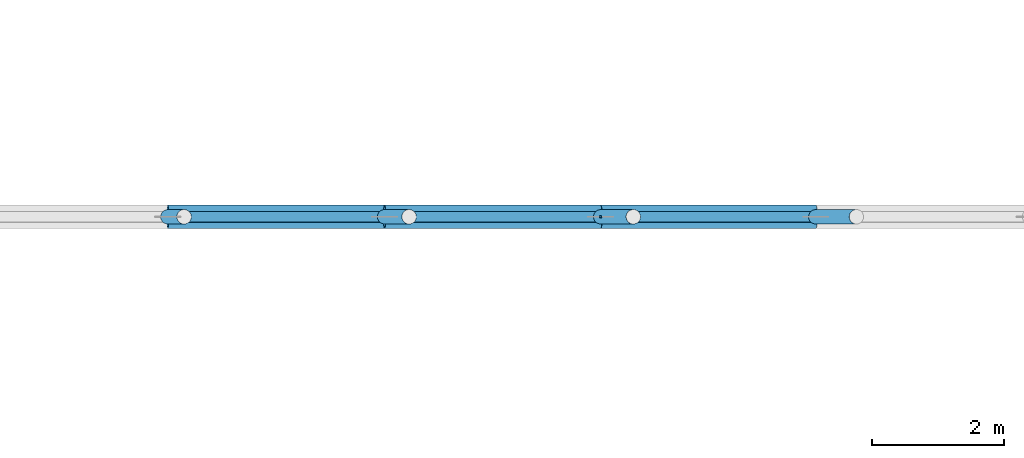
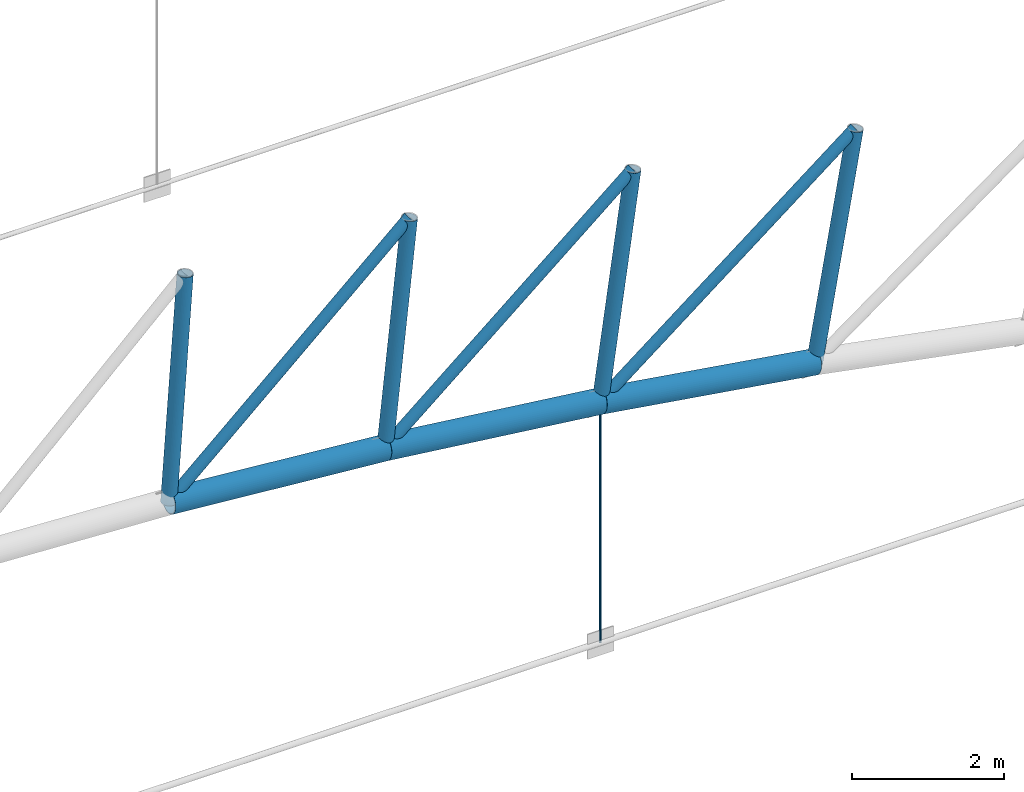
# One storey, part 92 of 321: 11 members.
"""IFC4 building model written with IfcOpenShell, lengths in metres."""

from ifc_helpers import new_model, si_unit, direction, frame, origin, origin_2d, place, context, subcontext, project, spatial, circle, hollow_circle, extrude, material, material_profile, profile_set, type_object, element, save


model = new_model("IFC4")

# Units and contexts
model_context = context("Model", 3, precision=1e-05, world=origin(), true_north=direction((0.0, 1.0)))
body_context = subcontext(model_context, "Body", "Model", "MODEL_VIEW")
ifc_project = project(units=[si_unit("LENGTHUNIT", "METRE"), si_unit("AREAUNIT", "SQUARE_METRE"), si_unit("VOLUMEUNIT", "CUBIC_METRE"), si_unit("PLANEANGLEUNIT", "RADIAN"), si_unit("MASSUNIT", "GRAM", prefix="KILO")], contexts=[model_context])

# Site, building, storey
site_placement = place(None, origin())
site = spatial("IfcSite", under=ifc_project, at=site_placement, CompositionType="ELEMENT")
building_placement = place(site_placement, origin())
building = spatial("IfcBuilding", under=site, at=building_placement, Name="Ravi Spectrum Wholesale Market", CompositionType="ELEMENT")
storey_placement = place(building_placement, frame((0.0, 0.0, 10.800048828125)))
storey = spatial("IfcBuildingStorey", under=building, at=storey_placement, Name="L02", CompositionType="ELEMENT", Elevation=10.800048828125)

# Members
ifc_material_1 = material(Name="Steel S355", Category="steel")
ifc_material_profile_1 = material_profile(ifc_material_1, hollow_circle(Radius=0.084228515625, WallThickness=0.00634765625, at=origin_2d()))
ifc_profile_set_1 = profile_set([ifc_material_profile_1], Name="Steel S355")
member_type_1 = type_object("IfcMemberType", Name="CHS 168.3x6.3 brace", PredefinedType="BRACE", material=ifc_profile_set_1)
for number, where, z_axis, x_axis, name in (
    (1, (80.273193359375, 78.0, 7.867919921875), (-0.743626505142, 0.0, -0.668595259369), (0.0, -1.0, 0.0), "H1-MB-L02-409"),
    (2, (83.678466796875, 78.0, 7.45458984375), (-0.766252893925, 0.0, -0.642539105854), (0.0, -1.0, 0.0), "H1-MB-L02-410"),
    (3, (87.0673828125, 78.0, 6.92431640625), (-0.787944778548, 0.0, -0.615745910225), (0.0, -1.0, 0.0), "H1-MB-L02-411"),
):
    element("IfcMember", number, at=place(storey_placement, frame(where, z_axis=z_axis, x_axis=x_axis)), inside=storey, type_object=member_type_1, Name=name, PredefinedType="BRACE", context=body_context, shape_type="SweptSolid", body=[
        extrude(hollow_circle(Radius=0.084228515625, WallThickness=0.00634765625, at=origin_2d()), origin(), (0.0, 0.0, 1.0), 4.9296875),
    ])
ifc_material_2 = material(Name="Steel S355", Category="steel")
ifc_material_profile_2 = material_profile(ifc_material_2, hollow_circle(Radius=0.109619140625, WallThickness=0.008056640625, at=origin_2d()))
ifc_profile_set_2 = profile_set([ifc_material_profile_2], Name="Steel S355")
member_type_2 = type_object("IfcMemberType", Name="CHS 219.1x8 post", PredefinedType="POST", material=ifc_profile_set_2)
member_1_placement = place(storey_placement, frame((76.85546875, 78.0, 8.163330078125), z_axis=(-0.068904502548, 0.0, -0.997623260319), x_axis=(0.0, -1.0, 0.0)))
element("IfcMember", 4, at=member_1_placement, inside=storey, type_object=member_type_2, Name="H1-MB-L02-386", PredefinedType="POST", context=body_context, shape_type="SweptSolid", body=[
    extrude(hollow_circle(Radius=0.109619140625, WallThickness=0.008056640625, at=origin_2d()), origin(), (0.0, 0.0, 1.0), 3.599853515625),
])
member_2_placement = place(storey_placement, frame((80.273193359375, 78.0, 7.867919921875), z_axis=(-0.103350310801, 0.0, -0.994645018716), x_axis=(0.0, -1.0, 0.0)))
element("IfcMember", 5, at=member_2_placement, inside=storey, type_object=member_type_2, Name="H1-MB-L02-387", PredefinedType="POST", context=body_context, shape_type="SweptSolid", body=[
    extrude(hollow_circle(Radius=0.109619140625, WallThickness=0.008056640625, at=origin_2d()), origin(), (0.0, 0.0, 1.0), 3.60009765625),
])
member_3_placement = place(storey_placement, frame((83.678466796875, 78.0, 7.45458984375), z_axis=(-0.137603486835, 0.0, -0.990487395382), x_axis=(0.0, -1.0, 0.0)))
element("IfcMember", 6, at=member_3_placement, inside=storey, type_object=member_type_2, Name="H1-MB-L02-388", PredefinedType="POST", context=body_context, shape_type="SweptSolid", body=[
    extrude(hollow_circle(Radius=0.109619140625, WallThickness=0.008056640625, at=origin_2d()), origin(), (0.0, 0.0, 1.0), 3.599853515625),
])
member_4_placement = place(storey_placement, frame((87.0673828125, 78.0, 6.92431640625), z_axis=(-0.171575852457, 0.0, -0.985170912509), x_axis=(0.0, -1.0, 0.0)))
element("IfcMember", 7, at=member_4_placement, inside=storey, type_object=member_type_2, Name="H1-MB-L02-389", PredefinedType="POST", context=body_context, shape_type="SweptSolid", body=[
    extrude(hollow_circle(Radius=0.109619140625, WallThickness=0.008056640625, at=origin_2d()), origin(), (0.0, 0.0, 1.0), 3.60009765625),
])
ifc_material_3 = material(Name="Steel S355", Category="steel")
ifc_material_profile_3 = material_profile(ifc_material_3, hollow_circle(Radius=0.177734375, WallThickness=0.012451171875, at=origin_2d()))
ifc_profile_set_3 = profile_set([ifc_material_profile_3], Name="Steel S355")
member_type_3 = type_object("IfcMemberType", Name="CHS 355.6x12.5 chord", PredefinedType="CHORD", material=ifc_profile_set_3)
member_5_placement = place(storey_placement, frame((76.607421875, 78.0, 4.572021484375), z_axis=(0.99627955827, 0.0, -0.08618028645), x_axis=(0.0, 1.0, 0.0)))
element("IfcMember", 8, at=member_5_placement, inside=storey, type_object=member_type_3, Name="H1-MB-L02-363", PredefinedType="CHORD", context=body_context, shape_type="SweptSolid", body=[
    extrude(hollow_circle(Radius=0.177734375, WallThickness=0.012451171875, at=origin_2d()), origin(), (0.0, 0.0, 1.0), 3.305908203125),
])
member_6_placement = place(storey_placement, frame((79.901123046875, 78.0, 4.287109375), z_axis=(0.99272014244, 0.0, -0.120443840833), x_axis=(0.0, 1.0, 0.0)))
element("IfcMember", 9, at=member_6_placement, inside=storey, type_object=member_type_3, Name="H1-MB-L02-364", PredefinedType="CHORD", context=body_context, shape_type="SweptSolid", body=[
    extrude(hollow_circle(Radius=0.177734375, WallThickness=0.012451171875, at=origin_2d()), origin(), (0.0, 0.0, 1.0), 3.30615234375),
])
member_7_placement = place(storey_placement, frame((83.18310546875, 78.0, 3.888916015625), z_axis=(0.987973992944, 0.0, -0.154620145084), x_axis=(0.0, 1.0, 0.0)))
element("IfcMember", 10, at=member_7_placement, inside=storey, type_object=member_type_3, Name="H1-MB-L02-365", PredefinedType="CHORD", context=body_context, shape_type="SweptSolid", body=[
    extrude(hollow_circle(Radius=0.177734375, WallThickness=0.012451171875, at=origin_2d()), origin(), (0.0, 0.0, 1.0), 3.306396484375),
])
ifc_material_4 = material(Name="Steel S355", Category="steel")
ifc_material_profile_4 = material_profile(ifc_material_4, circle(Radius=0.01806640625, at=origin_2d()))
ifc_profile_set_4 = profile_set([ifc_material_profile_4], Name="Steel S355")
member_type_4 = type_object("IfcMemberType", Name="ROD 36 hanger", PredefinedType="STRUT", material=ifc_profile_set_4)
member_8_placement = place(storey_placement, frame((83.18310546875, 78.0, 0.0), z_axis=(0.0, 0.0, 1.0), x_axis=(1.0, 0.0, 0.0)))
element("IfcMember", 11, at=member_8_placement, inside=storey, type_object=member_type_4, Name="H1-MB-L02-422", PredefinedType="STRUT", context=body_context, shape_type="SweptSolid", body=[
    extrude(circle(Radius=0.01806640625, at=origin_2d()), origin(), (0.0, 0.0, 1.0), 3.888916015625),
])

save(model, "model.ifc")
